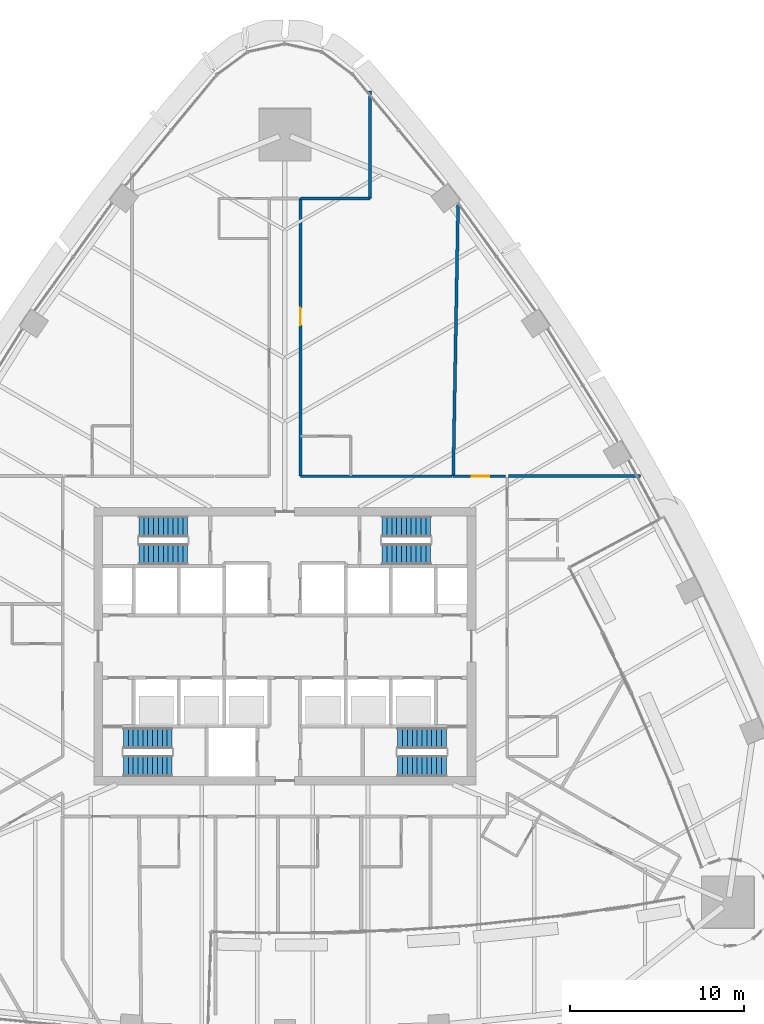
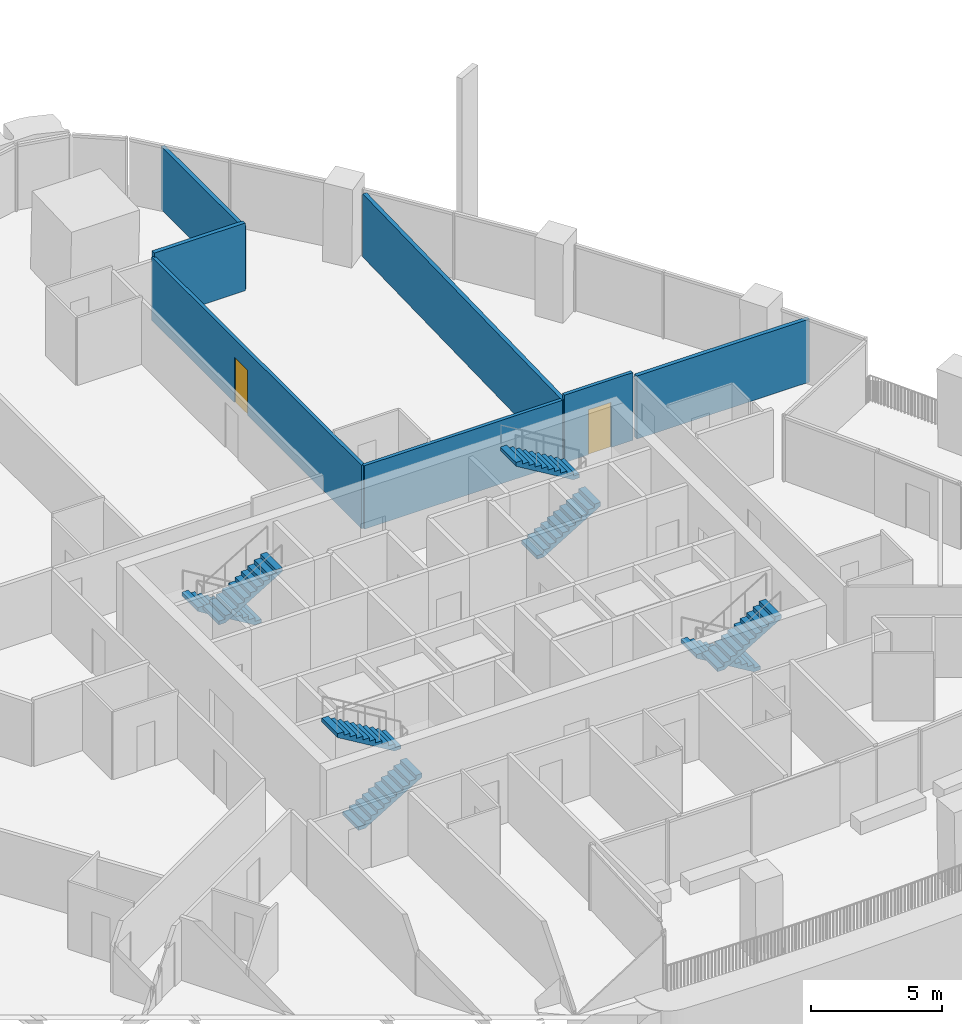
# One storey, part 15 of 22: 8 stair flights, 7 walls, 2 doors, 2 openings, 4 elements without a shape of their own.
"""IFC4 building model written with IfcOpenShell, lengths in metres."""

from ifc_helpers import new_model, si_unit, direction, frame, frame_2d, origin, place, context, subcontext, project, spatial, polyline, rectangle, outline, extrude, material, layer, layer_set, type_object, element, fill, aggregate, save


model = new_model("IFC4")

# Units and contexts
model_context = context("Model", 3, precision=1e-05, world=origin(), true_north=direction((0.0, 1.0)))
body_context = subcontext(model_context, "Body", "Model", "MODEL_VIEW")
ifc_project = project(units=[si_unit("LENGTHUNIT", "METRE"), si_unit("AREAUNIT", "SQUARE_METRE"), si_unit("VOLUMEUNIT", "CUBIC_METRE"), si_unit("PLANEANGLEUNIT", "RADIAN"), si_unit("MASSUNIT", "GRAM", prefix="KILO")], contexts=[model_context])

# Site, building, storey
site_placement = place(None, origin())
site = spatial("IfcSite", under=ifc_project, at=site_placement, CompositionType="ELEMENT")
building_placement = place(site_placement, origin())
building = spatial("IfcBuilding", under=site, at=building_placement, Name="Sierra Prisma Convention Tower", CompositionType="ELEMENT")
storey_placement = place(building_placement, frame((0.0, 0.0, 103.5)))
storey = spatial("IfcBuildingStorey", under=building, at=storey_placement, Name="L22", CompositionType="ELEMENT", Elevation=103.5)

# Wall
ifc_material_1 = material(Name="Gypsum board partition", Category="gypsum")
ifc_layer_1 = layer(ifc_material_1, 0.14990234375)
ifc_layer_set_1 = layer_set([ifc_layer_1], Name="Corridor wall 150 gypsum EI 60")
wall_type_1 = type_object("IfcWallType", Name="Corridor wall 150 gypsum EI 60", PredefinedType="PARTITIONING", material=ifc_layer_set_1)
wall_1_placement = place(storey_placement, frame((9.6201171875, 9.800048828125, 0.0), z_axis=(0.0, 0.0, 1.0), x_axis=(-1.0, 0.0, 0.0)))
element("IfcWall", 1, at=wall_1_placement, inside=storey, type_object=wall_type_1, Name="Partition L22 corr 11", PredefinedType="PARTITIONING", context=body_context, shape_type="SweptSolid", body=[
    extrude(rectangle(XDim=8.72021484375, YDim=0.14990234375, at=frame_2d((4.360107421875, 0.0))), origin(), (0.0, 0.0, 1.0), 2.947021484375),
])

# Wall, opening, door
wall_2_placement = place(storey_placement, frame((0.89990234375, 9.800048828125, 0.0), z_axis=(0.0, 0.0, 1.0), x_axis=(0.0, 1.0, 0.0)))
wall_2 = element("IfcWall", 2, at=wall_2_placement, inside=storey, type_object=wall_type_1, Name="Partition L22 corr 12", PredefinedType="PARTITIONING", context=body_context, shape_type="SweptSolid", body=[
    extrude(rectangle(XDim=15.99853515625, YDim=0.14990234375, at=frame_2d((7.999267578125, 0.0))), origin(), (0.0, 0.0, 1.0), 2.947021484375),
])
opening_1_placement = place(wall_2_placement, frame((8.69921875, 0.0, 0.0)))
opening_1 = element("IfcOpeningElement", 3, at=opening_1_placement, cuts=wall_2, Name="Opening L22-D040", PredefinedType="OPENING", context=body_context, shape_type="SweptSolid", body=[
    extrude(rectangle(XDim=1.0, YDim=2.10009765625, at=frame_2d((0.5, 1.050048828125))), frame((0.0, 0.074951171875, 0.0), z_axis=(0.0, -1.0, 0.0), x_axis=(1.0, 0.0, 0.0)), (0.0, 0.0, 1.0), 0.14990234375),
])
ifc_material_2 = material(Name="Steel fire door leaf", Category="steel")
door_type = type_object("IfcDoorType", Name="Door 1000x2100 FD30S", OperationType="SINGLE_SWING_LEFT", PredefinedType="DOOR", material=ifc_material_2)
door_1_placement = place(opening_1_placement, origin())
door_1 = element("IfcDoor", 4, at=door_1_placement, inside=storey, type_object=door_type, Name="Door L22 4", OperationType="SINGLE_SWING_LEFT", OverallHeight=2.10009765625, OverallWidth=1.0, PredefinedType="DOOR", context=body_context, shape_type="SweptSolid", body=[
    extrude(rectangle(XDim=1.0, YDim=2.10009765625, at=frame_2d((0.5, 1.050048828125))), frame((0.0, 0.02490234375, 0.0), z_axis=(0.0, -1.0, 0.0), x_axis=(1.0, 0.0, 0.0)), (0.0, 0.0, 1.0), 0.050048828125),
])
fill(opening_1, door_1)

wall_3_placement = place(storey_placement, frame((12.719970703125, 9.800048828125, 0.0), z_axis=(0.0, 0.0, 1.0), x_axis=(-1.0, 0.0, 0.0)))
wall_3 = element("IfcWall", 5, at=wall_3_placement, inside=storey, type_object=wall_type_1, Name="Partition L22 corr 13", PredefinedType="PARTITIONING", context=body_context, shape_type="SweptSolid", body=[
    extrude(rectangle(XDim=3.02001953125, YDim=0.14990234375, at=frame_2d((1.510009765625, 0.0))), origin(), (0.0, 0.0, 1.0), 3.14990234375),
])
opening_2_placement = place(wall_3_placement, frame((0.9599609375, 0.0, 0.0)))
opening_2 = element("IfcOpeningElement", 6, at=opening_2_placement, cuts=wall_3, Name="Opening L22-D039", PredefinedType="OPENING", context=body_context, shape_type="SweptSolid", body=[
    extrude(rectangle(XDim=1.0, YDim=2.10009765625, at=frame_2d((0.5, 1.050048828125))), frame((0.0, 0.074951171875, 0.0), z_axis=(0.0, -1.0, 0.0), x_axis=(1.0, 0.0, 0.0)), (0.0, 0.0, 1.0), 0.14990234375),
])
door_2_placement = place(opening_2_placement, origin())
door_2 = element("IfcDoor", 7, at=door_2_placement, inside=storey, type_object=door_type, Name="Door L22 3", OperationType="SINGLE_SWING_LEFT", OverallHeight=2.10009765625, OverallWidth=1.0, PredefinedType="DOOR", context=body_context, shape_type="SweptSolid", body=[
    extrude(rectangle(XDim=1.0, YDim=2.10009765625, at=frame_2d((0.5, 1.050048828125))), frame((0.0, 0.02490234375, 0.0), z_axis=(0.0, -1.0, 0.0), x_axis=(1.0, 0.0, 0.0)), (0.0, 0.0, 1.0), 0.050048828125),
])
fill(opening_2, door_2)

# Walls
ifc_material_3 = material(Name="Acoustic gypsum board partition", Category="gypsum")
ifc_layer_2 = layer(ifc_material_3, 0.175048828125)
ifc_layer_set_2 = layer_set([ifc_layer_2], Name="Guest room party wall 175 acoustic EI 60")
wall_type_2 = type_object("IfcWallType", Name="Guest room party wall 175 acoustic EI 60", PredefinedType="PARTITIONING", material=ifc_layer_set_2)
wall_4_placement = place(storey_placement, frame((0.89990234375, 25.798583984375, 0.0), z_axis=(0.0, 0.0, 1.0), x_axis=(1.0, 0.0, 0.0)))
element("IfcWall", 8, at=wall_4_placement, inside=storey, type_object=wall_type_2, Name="Partition L22 hparty 13", PredefinedType="PARTITIONING", context=body_context, shape_type="SweptSolid", body=[
    extrude(rectangle(XDim=4.0, YDim=0.175048828125, at=frame_2d((2.0, 0.0))), origin(), (0.0, 0.0, 1.0), 3.14990234375),
])
wall_5_placement = place(storey_placement, frame((4.89990234375, 25.798583984375, 0.0), z_axis=(0.0, 0.0, 1.0), x_axis=(0.0, 1.0, 0.0)))
element("IfcWall", 9, at=wall_5_placement, inside=storey, type_object=wall_type_2, Name="Partition L22 hparty 14", PredefinedType="PARTITIONING", context=body_context, shape_type="SweptSolid", body=[
    extrude(rectangle(XDim=6.19921875, YDim=0.175048828125, at=frame_2d((3.099609375, 0.0))), origin(), (0.0, 0.0, 1.0), 2.93408203125),
])
wall_6_placement = place(storey_placement, frame((9.976806640625, 25.41845703125, 0.0), z_axis=(0.0, 0.0, 1.0), x_axis=(-0.017723443948, -0.999842927431, 0.0)))
element("IfcWall", 10, at=wall_6_placement, inside=storey, type_object=wall_type_2, Name="Partition L22 hparty 17", PredefinedType="PARTITIONING", context=body_context, shape_type="SweptSolid", body=[
    extrude(rectangle(XDim=15.620849609375, YDim=0.175048828125, at=frame_2d((7.810546875, 0.0))), origin(), (0.0, 0.0, 1.0), 2.93408203125),
])
wall_7_placement = place(storey_placement, frame((12.8798828125, 9.800048828125, 0.0), z_axis=(0.0, 0.0, 1.0), x_axis=(1.0, 0.0, 0.0)))
element("IfcWall", 11, at=wall_7_placement, inside=storey, type_object=wall_type_2, Name="Partition L22 hparty 19", PredefinedType="PARTITIONING", context=body_context, shape_type="SweptSolid", body=[
    extrude(rectangle(XDim=7.59716796875, YDim=0.175048828125, at=frame_2d((3.798583984375, 0.0))), origin(), (0.0, 0.0, 1.0), 2.93408203125),
])

# Stair, stair flights
ifc_material_4 = material(Name="Concrete C30/37", Category="concrete")
stair_type = type_object("IfcStairType", Name="Stair dog-leg 1200 RC", PredefinedType="HALF_TURN_STAIR", material=ifc_material_4)
stair_1_placement = place(storey_placement, origin())
stair_1 = element("IfcStair", 12, at=stair_1_placement, inside=storey, type_object=stair_type, Name="L22 S1", PredefinedType="HALF_TURN_STAIR")
ifc_material_5 = material(Name="Concrete C30/37", Category="concrete")
stair_flight_type = type_object("IfcStairFlightType", Name="Stair flight RC 1200", PredefinedType="STRAIGHT", material=ifc_material_5)
stair_flight_1_placement = place(storey_placement, frame((-9.300048828125, -6.89990234375, 0.0), z_axis=(0.0, 0.0, 1.0), x_axis=(1.0, 0.0, 0.0)))
stair_flight_1 = element("IfcStairFlight", 13, at=stair_flight_1_placement, type_object=stair_flight_type, Name="S1 flight 1", NumberOfRisers=11, NumberOfTreads=10, PredefinedType="STRAIGHT", RiserHeight=0.168181818, TreadLength=0.28, context=body_context, shape_type="SweptSolid", body=[
    extrude(outline(polyline([(0.0, 0.0), (0.0, 0.168212890625), (0.280029296875, 0.168212890625), (0.280029296875, 0.33642578125), (0.56005859375, 0.33642578125), (0.56005859375, 0.504638671875), (0.840087890625, 0.504638671875), (0.840087890625, 0.672607421875), (1.1201171875, 0.672607421875), (1.1201171875, 0.8408203125), (1.39990234375, 0.8408203125), (1.39990234375, 1.009033203125), (1.679931640625, 1.009033203125), (1.679931640625, 1.17724609375), (1.9599609375, 1.17724609375), (1.9599609375, 1.345458984375), (2.239990234375, 1.345458984375), (2.239990234375, 1.513671875), (2.52001953125, 1.513671875), (2.52001953125, 1.681884765625), (2.800048828125, 1.681884765625), (2.800048828125, 1.85009765625), (2.800048828125, 1.5068359375), (0.291015625, 0.0), (0.0, 0.0)])), frame((0.0, 0.60009765625, 0.0), z_axis=(0.0, -1.0, 0.0), x_axis=(1.0, 0.0, 0.0)), (0.0, 0.0, 1.0), 1.199951171875),
])
stair_flight_2_placement = place(storey_placement, frame((-6.5, -5.300048828125, 1.85009765625), z_axis=(0.0, 0.0, 1.0), x_axis=(-1.0, 0.0, 0.0)))
stair_flight_2 = element("IfcStairFlight", 14, at=stair_flight_2_placement, type_object=stair_flight_type, Name="S1 flight 2", NumberOfRisers=11, NumberOfTreads=10, PredefinedType="STRAIGHT", RiserHeight=0.168181818, TreadLength=0.28, context=body_context, shape_type="SweptSolid", body=[
    extrude(outline(polyline([(0.0, 0.0), (0.0, 0.168212890625), (0.280029296875, 0.168212890625), (0.280029296875, 0.33642578125), (0.56005859375, 0.33642578125), (0.56005859375, 0.504638671875), (0.840087890625, 0.504638671875), (0.840087890625, 0.672607421875), (1.1201171875, 0.672607421875), (1.1201171875, 0.8408203125), (1.39990234375, 0.8408203125), (1.39990234375, 1.009033203125), (1.679931640625, 1.009033203125), (1.679931640625, 1.17724609375), (1.9599609375, 1.17724609375), (1.9599609375, 1.345458984375), (2.239990234375, 1.345458984375), (2.239990234375, 1.513671875), (2.52001953125, 1.513671875), (2.52001953125, 1.681884765625), (2.800048828125, 1.681884765625), (2.800048828125, 1.85009765625), (2.800048828125, 1.5068359375), (0.291015625, 0.0), (0.0, 0.0)])), frame((0.0, 0.60009765625, 0.0), z_axis=(0.0, -1.0, 0.0), x_axis=(1.0, 0.0, 0.0)), (0.0, 0.0, 1.0), 1.199951171875),
])
aggregate(stair_1, [stair_flight_1, stair_flight_2])

stair_2_placement = place(storey_placement, origin())
stair_2 = element("IfcStair", 15, at=stair_2_placement, inside=storey, type_object=stair_type, Name="L22 S2", PredefinedType="HALF_TURN_STAIR")
stair_flight_3_placement = place(storey_placement, frame((9.300048828125, -5.300048828125, 0.0), z_axis=(0.0, 0.0, 1.0), x_axis=(-1.0, 0.0, 0.0)))
stair_flight_3 = element("IfcStairFlight", 16, at=stair_flight_3_placement, type_object=stair_flight_type, Name="S2 flight 1", NumberOfRisers=11, NumberOfTreads=10, PredefinedType="STRAIGHT", RiserHeight=0.168181818, TreadLength=0.28, context=body_context, shape_type="SweptSolid", body=[
    extrude(outline(polyline([(0.0, 0.0), (0.0, 0.168212890625), (0.280029296875, 0.168212890625), (0.280029296875, 0.33642578125), (0.56005859375, 0.33642578125), (0.56005859375, 0.504638671875), (0.840087890625, 0.504638671875), (0.840087890625, 0.672607421875), (1.1201171875, 0.672607421875), (1.1201171875, 0.8408203125), (1.39990234375, 0.8408203125), (1.39990234375, 1.009033203125), (1.679931640625, 1.009033203125), (1.679931640625, 1.17724609375), (1.9599609375, 1.17724609375), (1.9599609375, 1.345458984375), (2.239990234375, 1.345458984375), (2.239990234375, 1.513671875), (2.52001953125, 1.513671875), (2.52001953125, 1.681884765625), (2.800048828125, 1.681884765625), (2.800048828125, 1.85009765625), (2.800048828125, 1.5068359375), (0.291015625, 0.0), (0.0, 0.0)])), frame((0.0, 0.60009765625, 0.0), z_axis=(0.0, -1.0, 0.0), x_axis=(1.0, 0.0, 0.0)), (0.0, 0.0, 1.0), 1.199951171875),
])
stair_flight_4_placement = place(storey_placement, frame((6.5, -6.89990234375, 1.85009765625), z_axis=(0.0, 0.0, 1.0), x_axis=(1.0, 0.0, 0.0)))
stair_flight_4 = element("IfcStairFlight", 17, at=stair_flight_4_placement, type_object=stair_flight_type, Name="S2 flight 2", NumberOfRisers=11, NumberOfTreads=10, PredefinedType="STRAIGHT", RiserHeight=0.168181818, TreadLength=0.28, context=body_context, shape_type="SweptSolid", body=[
    extrude(outline(polyline([(0.0, 0.0), (0.0, 0.168212890625), (0.280029296875, 0.168212890625), (0.280029296875, 0.33642578125), (0.56005859375, 0.33642578125), (0.56005859375, 0.504638671875), (0.840087890625, 0.504638671875), (0.840087890625, 0.672607421875), (1.1201171875, 0.672607421875), (1.1201171875, 0.8408203125), (1.39990234375, 0.8408203125), (1.39990234375, 1.009033203125), (1.679931640625, 1.009033203125), (1.679931640625, 1.17724609375), (1.9599609375, 1.17724609375), (1.9599609375, 1.345458984375), (2.239990234375, 1.345458984375), (2.239990234375, 1.513671875), (2.52001953125, 1.513671875), (2.52001953125, 1.681884765625), (2.800048828125, 1.681884765625), (2.800048828125, 1.85009765625), (2.800048828125, 1.5068359375), (0.291015625, 0.0), (0.0, 0.0)])), frame((0.0, 0.60009765625, 0.0), z_axis=(0.0, -1.0, 0.0), x_axis=(1.0, 0.0, 0.0)), (0.0, 0.0, 1.0), 1.199951171875),
])
aggregate(stair_2, [stair_flight_3, stair_flight_4])

stair_3_placement = place(storey_placement, origin())
stair_3 = element("IfcStair", 18, at=stair_3_placement, inside=storey, type_object=stair_type, Name="L22 S3", PredefinedType="HALF_TURN_STAIR")
stair_flight_5_placement = place(storey_placement, frame((-5.60009765625, 6.89990234375, 0.0), z_axis=(0.0, 0.0, 1.0), x_axis=(-1.0, 0.0, 0.0)))
stair_flight_5 = element("IfcStairFlight", 19, at=stair_flight_5_placement, type_object=stair_flight_type, Name="S3 flight 1", NumberOfRisers=11, NumberOfTreads=10, PredefinedType="STRAIGHT", RiserHeight=0.168181818, TreadLength=0.28, context=body_context, shape_type="SweptSolid", body=[
    extrude(outline(polyline([(0.0, 0.0), (0.0, 0.168212890625), (0.280029296875, 0.168212890625), (0.280029296875, 0.33642578125), (0.56005859375, 0.33642578125), (0.56005859375, 0.504638671875), (0.840087890625, 0.504638671875), (0.840087890625, 0.672607421875), (1.1201171875, 0.672607421875), (1.1201171875, 0.8408203125), (1.39990234375, 0.8408203125), (1.39990234375, 1.009033203125), (1.679931640625, 1.009033203125), (1.679931640625, 1.17724609375), (1.9599609375, 1.17724609375), (1.9599609375, 1.345458984375), (2.239990234375, 1.345458984375), (2.239990234375, 1.513671875), (2.52001953125, 1.513671875), (2.52001953125, 1.681884765625), (2.800048828125, 1.681884765625), (2.800048828125, 1.85009765625), (2.800048828125, 1.5068359375), (0.291015625, 0.0), (0.0, 0.0)])), frame((0.0, 0.60009765625, 0.0), z_axis=(0.0, -1.0, 0.0), x_axis=(1.0, 0.0, 0.0)), (0.0, 0.0, 1.0), 1.199951171875),
])
stair_flight_6_placement = place(storey_placement, frame((-8.39990234375, 5.300048828125, 1.85009765625), z_axis=(0.0, 0.0, 1.0), x_axis=(1.0, 0.0, 0.0)))
stair_flight_6 = element("IfcStairFlight", 20, at=stair_flight_6_placement, type_object=stair_flight_type, Name="S3 flight 2", NumberOfRisers=11, NumberOfTreads=10, PredefinedType="STRAIGHT", RiserHeight=0.168181818, TreadLength=0.28, context=body_context, shape_type="SweptSolid", body=[
    extrude(outline(polyline([(0.0, 0.0), (0.0, 0.168212890625), (0.280029296875, 0.168212890625), (0.280029296875, 0.33642578125), (0.56005859375, 0.33642578125), (0.56005859375, 0.504638671875), (0.840087890625, 0.504638671875), (0.840087890625, 0.672607421875), (1.1201171875, 0.672607421875), (1.1201171875, 0.8408203125), (1.39990234375, 0.8408203125), (1.39990234375, 1.009033203125), (1.679931640625, 1.009033203125), (1.679931640625, 1.17724609375), (1.9599609375, 1.17724609375), (1.9599609375, 1.345458984375), (2.239990234375, 1.345458984375), (2.239990234375, 1.513671875), (2.52001953125, 1.513671875), (2.52001953125, 1.681884765625), (2.800048828125, 1.681884765625), (2.800048828125, 1.85009765625), (2.800048828125, 1.5068359375), (0.291015625, 0.0), (0.0, 0.0)])), frame((0.0, 0.60009765625, 0.0), z_axis=(0.0, -1.0, 0.0), x_axis=(1.0, 0.0, 0.0)), (0.0, 0.0, 1.0), 1.199951171875),
])
aggregate(stair_3, [stair_flight_5, stair_flight_6])

stair_4_placement = place(storey_placement, origin())
stair_4 = element("IfcStair", 21, at=stair_4_placement, inside=storey, type_object=stair_type, Name="L22 S4", PredefinedType="HALF_TURN_STAIR")
stair_flight_7_placement = place(storey_placement, frame((5.60009765625, 5.300048828125, 0.0), z_axis=(0.0, 0.0, 1.0), x_axis=(1.0, 0.0, 0.0)))
stair_flight_7 = element("IfcStairFlight", 22, at=stair_flight_7_placement, type_object=stair_flight_type, Name="S4 flight 1", NumberOfRisers=11, NumberOfTreads=10, PredefinedType="STRAIGHT", RiserHeight=0.168181818, TreadLength=0.28, context=body_context, shape_type="SweptSolid", body=[
    extrude(outline(polyline([(0.0, 0.0), (0.0, 0.168212890625), (0.280029296875, 0.168212890625), (0.280029296875, 0.33642578125), (0.56005859375, 0.33642578125), (0.56005859375, 0.504638671875), (0.840087890625, 0.504638671875), (0.840087890625, 0.672607421875), (1.1201171875, 0.672607421875), (1.1201171875, 0.8408203125), (1.39990234375, 0.8408203125), (1.39990234375, 1.009033203125), (1.679931640625, 1.009033203125), (1.679931640625, 1.17724609375), (1.9599609375, 1.17724609375), (1.9599609375, 1.345458984375), (2.239990234375, 1.345458984375), (2.239990234375, 1.513671875), (2.52001953125, 1.513671875), (2.52001953125, 1.681884765625), (2.800048828125, 1.681884765625), (2.800048828125, 1.85009765625), (2.800048828125, 1.5068359375), (0.291015625, 0.0), (0.0, 0.0)])), frame((0.0, 0.60009765625, 0.0), z_axis=(0.0, -1.0, 0.0), x_axis=(1.0, 0.0, 0.0)), (0.0, 0.0, 1.0), 1.199951171875),
])
stair_flight_8_placement = place(storey_placement, frame((8.39990234375, 6.89990234375, 1.85009765625), z_axis=(0.0, 0.0, 1.0), x_axis=(-1.0, 0.0, 0.0)))
stair_flight_8 = element("IfcStairFlight", 23, at=stair_flight_8_placement, type_object=stair_flight_type, Name="S4 flight 2", NumberOfRisers=11, NumberOfTreads=10, PredefinedType="STRAIGHT", RiserHeight=0.168181818, TreadLength=0.28, context=body_context, shape_type="SweptSolid", body=[
    extrude(outline(polyline([(0.0, 0.0), (0.0, 0.168212890625), (0.280029296875, 0.168212890625), (0.280029296875, 0.33642578125), (0.56005859375, 0.33642578125), (0.56005859375, 0.504638671875), (0.840087890625, 0.504638671875), (0.840087890625, 0.672607421875), (1.1201171875, 0.672607421875), (1.1201171875, 0.8408203125), (1.39990234375, 0.8408203125), (1.39990234375, 1.009033203125), (1.679931640625, 1.009033203125), (1.679931640625, 1.17724609375), (1.9599609375, 1.17724609375), (1.9599609375, 1.345458984375), (2.239990234375, 1.345458984375), (2.239990234375, 1.513671875), (2.52001953125, 1.513671875), (2.52001953125, 1.681884765625), (2.800048828125, 1.681884765625), (2.800048828125, 1.85009765625), (2.800048828125, 1.5068359375), (0.291015625, 0.0), (0.0, 0.0)])), frame((0.0, 0.60009765625, 0.0), z_axis=(0.0, -1.0, 0.0), x_axis=(1.0, 0.0, 0.0)), (0.0, 0.0, 1.0), 1.199951171875),
])
aggregate(stair_4, [stair_flight_7, stair_flight_8])

save(model, "model.ifc")
